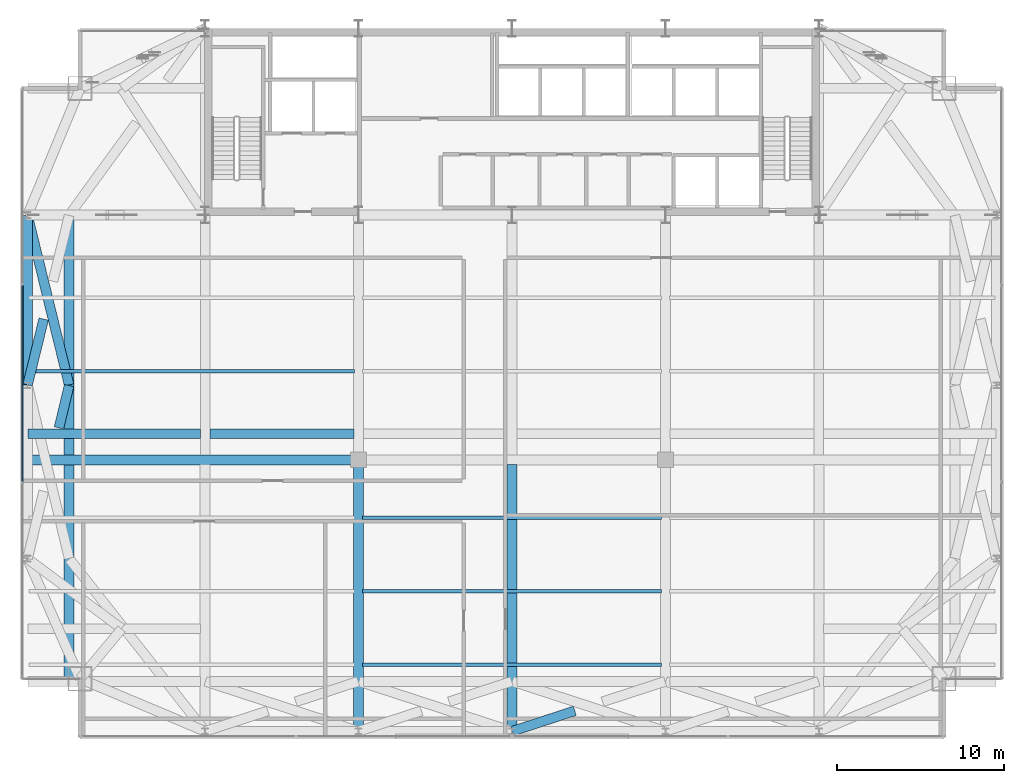
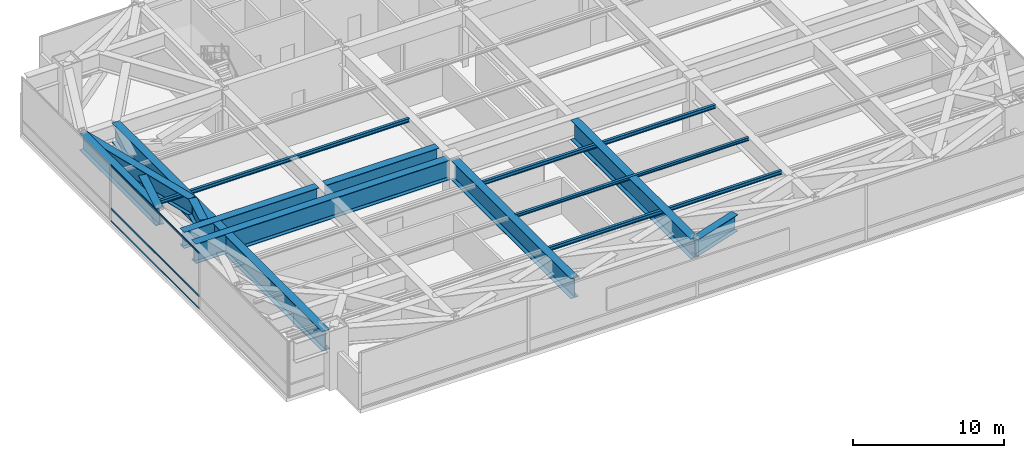
# One storey, part 9 of 32: 15 beams, 3 members, 1 element without a shape of its own.
"""IFC4 building model written with IfcOpenShell, lengths in metres."""

from ifc_helpers import new_model, si_unit, direction, frame, origin, origin_2d, place, context, subcontext, project, spatial, hollow_rectangle, i_section, extrude, source, transform, mapped, material, layer, layer_set, material_profile, profile_set, type_object, type_shapes, element, aggregate, save


model = new_model("IFC4")

# Units and contexts
model_context = context("Model", 3, precision=1e-05, world=origin(), true_north=direction((0.0, 1.0)))
body_context = subcontext(model_context, "Body", "Model", "MODEL_VIEW")
ifc_project = project(units=[si_unit("LENGTHUNIT", "METRE"), si_unit("AREAUNIT", "SQUARE_METRE"), si_unit("VOLUMEUNIT", "CUBIC_METRE"), si_unit("PLANEANGLEUNIT", "RADIAN"), si_unit("MASSUNIT", "GRAM", prefix="KILO")], contexts=[model_context])

# Site, building, storey
site_placement = place(None, origin())
site = spatial("IfcSite", under=ifc_project, at=site_placement, CompositionType="ELEMENT")
building_placement = place(site_placement, origin())
building = spatial("IfcBuilding", under=site, at=building_placement, Name="Varnel Quay Broadcast Tower", CompositionType="ELEMENT")
storey_placement = place(building_placement, frame((0.0, 0.0, 141.0)))
storey = spatial("IfcBuildingStorey", under=building, at=storey_placement, Name="L34", CompositionType="ELEMENT", Elevation=141.0)

# Beams
ifc_material_1 = material(Name="Structural Steel CSA G40.21 350WT", Category="steel")
ifc_material_profile_1 = material_profile(ifc_material_1, i_section(OverallWidth=0.580078125, OverallDepth=1.330078125, WebThickness=0.02197265625, FlangeThickness=0.0380859375, FilletRadius=0.02001953125, at=origin_2d()), Name="WWF1330X535")
ifc_profile_set_1 = profile_set([ifc_material_profile_1], Name="Structural Steel CSA G40.21 350WT")
beam_type_1 = type_object("IfcBeamType", Name="Girder_WWF1330X535", PredefinedType="BEAM", material=ifc_profile_set_1)
shared_shape_1 = source(origin(), body_context, "Body", "SweptSolid", [
    extrude(i_section(OverallWidth=0.580078125, OverallDepth=1.330078125, WebThickness=0.02197265625, FlangeThickness=0.0380859375, FilletRadius=0.02001953125, at=origin_2d()), origin(), (0.0, 0.0, 1.0), 10.16015625),
])
beam_1_placement = place(storey_placement, frame((4.949951171875, 25.419921875, 3.885009765625), z_axis=(0.0, 1.0, 0.0), x_axis=(-1.0, 0.0, 0.0)))
element("IfcBeam", 1, at=beam_1_placement, inside=storey, type_object=beam_type_1, Name="L34 West Transfer Spine TC-W2-TC-W3", PredefinedType="BEAM", context=body_context, shape_type="MappedRepresentation", body=[
    mapped(shared_shape_1, transform((0.0, 0.0, 0.0), x_axis=(1.0, 0.0, 0.0), y_axis=(0.0, 1.0, 0.0), z_axis=(0.0, 0.0, 1.0), scale=1.0)),
])
shared_shape_2 = source(origin(), body_context, "Body", "SweptSolid", [
    extrude(i_section(OverallWidth=0.580078125, OverallDepth=1.330078125, WebThickness=0.02197265625, FlangeThickness=0.0380859375, FilletRadius=0.02001953125, at=origin_2d()), origin(), (0.0, 0.0, 1.0), 8.6298828125),
])
beam_2_placement = place(storey_placement, frame((15.885009765625, 22.489990234375, 3.885009765625), z_axis=(1.0, 0.0, 0.0), x_axis=(0.0, 1.0, 0.0)))
element("IfcBeam", 2, at=beam_2_placement, inside=storey, type_object=beam_type_1, Name="L34 Setback Interior Column Transfer 2", PredefinedType="BEAM", context=body_context, shape_type="MappedRepresentation", body=[
    mapped(shared_shape_2, transform((0.0, 0.0, 0.0), x_axis=(1.0, 0.0, 0.0), y_axis=(0.0, 1.0, 0.0), z_axis=(0.0, 0.0, 1.0), scale=1.0)),
])
shared_shape_3 = source(origin(), body_context, "Body", "SweptSolid", [
    extrude(i_section(OverallWidth=0.580078125, OverallDepth=1.330078125, WebThickness=0.02197265625, FlangeThickness=0.0380859375, FilletRadius=0.02001953125, at=origin_2d()), origin(), (0.0, 0.0, 1.0), 3.939453125),
])
beam_3_placement = place(storey_placement, frame((34.01904296875, 4.65625, 3.885009765625), z_axis=(0.950738972318, 0.309992591065, 0.0), x_axis=(-0.309992591065, 0.950738972318, 0.0)))
element("IfcBeam", 3, at=beam_3_placement, inside=storey, type_object=beam_type_1, Name="L34 X-Braced Transfer Tie TC-S4-TC-S3 Part 1", PredefinedType="BEAM", context=body_context, shape_type="MappedRepresentation", body=[
    mapped(shared_shape_3, transform((0.0, 0.0, 0.0), x_axis=(1.0, 0.0, 0.0), y_axis=(0.0, 1.0, 0.0), z_axis=(0.0, 0.0, 1.0), scale=1.0)),
])
shared_shape_4 = source(origin(), body_context, "Body", "SweptSolid", [
    extrude(i_section(OverallWidth=0.580078125, OverallDepth=1.330078125, WebThickness=0.02197265625, FlangeThickness=0.0380859375, FilletRadius=0.02001953125, at=origin_2d()), origin(), (0.0, 0.0, 1.0), 10.4619140625),
])
beam_4_placement = place(storey_placement, frame((4.954833984375, 35.58056640625, 3.885009765625), z_axis=(0.238052489607, -0.971252290701, 0.0), x_axis=(0.971252290701, 0.238052489607, 0.0)))
element("IfcBeam", 4, at=beam_4_placement, inside=storey, type_object=beam_type_1, Name="L34 X-Braced Transfer Tie TC-W2-TC-W3", PredefinedType="BEAM", context=body_context, shape_type="MappedRepresentation", body=[
    mapped(shared_shape_4, transform((0.0, 0.0, 0.0), x_axis=(1.0, 0.0, 0.0), y_axis=(0.0, 1.0, 0.0), z_axis=(0.0, 0.0, 1.0), scale=1.0)),
])
shared_shape_5 = source(origin(), body_context, "Body", "SweptSolid", [
    extrude(i_section(OverallWidth=0.580078125, OverallDepth=1.330078125, WebThickness=0.02197265625, FlangeThickness=0.0380859375, FilletRadius=0.02001953125, at=origin_2d()), origin(), (0.0, 0.0, 1.0), 4.06298828125),
])
beam_5_placement = place(storey_placement, frame((4.954833984375, 25.41943359375, 3.885009765625), z_axis=(0.238065394909, 0.97124912754, 0.0), x_axis=(-0.97124912754, 0.238065394909, 0.0)))
element("IfcBeam", 5, at=beam_5_placement, inside=storey, type_object=beam_type_1, Name="L34 X-Braced Transfer Tie TC-W3-TC-W2 Part 1", PredefinedType="BEAM", context=body_context, shape_type="MappedRepresentation", body=[
    mapped(shared_shape_5, transform((0.0, 0.0, 0.0), x_axis=(1.0, 0.0, 0.0), y_axis=(0.0, 1.0, 0.0), z_axis=(0.0, 0.0, 1.0), scale=1.0)),
])
ifc_material_2 = material(Name="Structural Steel CSA G40.21 350W", Category="steel")
ifc_material_profile_2 = material_profile(ifc_material_2, i_section(OverallWidth=0.202880859375, OverallDepth=0.302978515625, WebThickness=0.007568359375, FlangeThickness=0.01318359375, FilletRadius=0.011962890625, at=origin_2d()), Name="W310X60")
ifc_profile_set_2 = profile_set([ifc_material_profile_2], Name="Structural Steel CSA G40.21 350W")
beam_type_2 = type_object("IfcBeamType", Name="Beam_W310X60", PredefinedType="JOIST", material=ifc_profile_set_2)
shared_shape_6 = source(origin(), body_context, "Body", "SweptSolid", [
    extrude(i_section(OverallWidth=0.202880859375, OverallDepth=0.302978515625, WebThickness=0.007568359375, FlangeThickness=0.01318359375, FilletRadius=0.011962890625, at=origin_2d()), origin(), (0.0, 0.0, 1.0), 17.91015625),
])
for number, where, z_axis, x_axis, name in (
    (6, (25.044921875, 8.64990234375, 4.3984375), (1.0, 0.0, 0.0), (0.0, 1.0, 0.0), "L34 Central Floor Joist 1"),
    (7, (25.044921875, 17.449951171875, 4.3984375), (1.0, 0.0, 0.0), (0.0, 1.0, 0.0), "L34 Central Floor Joist 3"),
):
    element("IfcBeam", number, at=place(storey_placement, frame(where, z_axis=z_axis, x_axis=x_axis)), inside=storey, type_object=beam_type_2, Name=name, PredefinedType="JOIST", context=body_context, shape_type="MappedRepresentation", body=[
        mapped(shared_shape_6, transform((0.0, 0.0, 0.0), x_axis=(1.0, 0.0, 0.0), y_axis=(0.0, 1.0, 0.0), z_axis=(0.0, 0.0, 1.0), scale=1.0)),
    ])
ifc_material_profile_3 = material_profile(ifc_material_2, i_section(OverallWidth=0.201904296875, OverallDepth=0.2470703125, WebThickness=0.00732421875, FlangeThickness=0.010986328125, FilletRadius=0.010986328125, at=origin_2d()), Name="W250X49")
ifc_profile_set_3 = profile_set([ifc_material_profile_3], Name="Structural Steel CSA G40.21 350W")
beam_type_3 = type_object("IfcBeamType", Name="Beam_W250X49", PredefinedType="JOIST", material=ifc_profile_set_3)
shared_shape_7 = source(origin(), body_context, "Body", "SweptSolid", [
    extrude(i_section(OverallWidth=0.201904296875, OverallDepth=0.2470703125, WebThickness=0.00732421875, FlangeThickness=0.010986328125, FilletRadius=0.010986328125, at=origin_2d()), origin(), (0.0, 0.0, 1.0), 17.91015625),
])
type_shapes(beam_type_3, [shared_shape_7])
beam_6_placement = place(storey_placement, frame((25.044921875, 13.050048828125, 4.426513671875), z_axis=(1.0, 0.0, 0.0), x_axis=(0.0, 1.0, 0.0)))
element("IfcBeam", 8, at=beam_6_placement, inside=storey, type_object=beam_type_3, Name="L34 Central Floor Joist 2", PredefinedType="JOIST", context=body_context, shape_type="MappedRepresentation", body=[
    mapped(shared_shape_7, transform((0.0, 0.0, 0.0), x_axis=(1.0, 0.0, 0.0), y_axis=(0.0, 1.0, 0.0), z_axis=(0.0, 0.0, 1.0), scale=1.0)),
])
ifc_material_profile_4 = material_profile(ifc_material_1, i_section(OverallWidth=0.60009765625, OverallDepth=1.60009765625, WebThickness=0.02392578125, FlangeThickness=0.0419921875, FilletRadius=0.02197265625, at=origin_2d()), Name="WWF1600X620")
ifc_profile_set_4 = profile_set([ifc_material_profile_4], Name="Structural Steel CSA G40.21 350WT")
beam_type_4 = type_object("IfcBeamType", Name="Girder_WWF1600X620", PredefinedType="BEAM", material=ifc_profile_set_4)
shared_shape_8 = source(origin(), body_context, "Body", "SweptSolid", [
    extrude(i_section(OverallWidth=0.60009765625, OverallDepth=1.60009765625, WebThickness=0.02392578125, FlangeThickness=0.0419921875, FilletRadius=0.02197265625, at=origin_2d()), origin(), (0.0, 0.0, 1.0), 19.525146484375),
])
beam_7_placement = place(storey_placement, frame((4.969970703125, 20.929931640625, 3.75), z_axis=(1.0, 0.0, 0.0), x_axis=(0.0, 1.0, 0.0)))
element("IfcBeam", 9, at=beam_7_placement, inside=storey, type_object=beam_type_4, Name="L34 Mid Transfer Spine W", PredefinedType="BEAM", context=body_context, shape_type="MappedRepresentation", body=[
    mapped(shared_shape_8, transform((0.0, 0.0, 0.0), x_axis=(1.0, 0.0, 0.0), y_axis=(0.0, 1.0, 0.0), z_axis=(0.0, 0.0, 1.0), scale=1.0)),
])
shared_shape_9 = source(origin(), body_context, "Body", "SweptSolid", [
    extrude(i_section(OverallWidth=0.60009765625, OverallDepth=1.60009765625, WebThickness=0.02392578125, FlangeThickness=0.0419921875, FilletRadius=0.02197265625, at=origin_2d()), origin(), (0.0, 0.0, 1.0), 15.97509765625),
])
for number, where, z_axis, x_axis, name in (
    (10, (24.800048828125, 4.669921875, 3.75), (0.0, 1.0, 0.0), (-1.0, 0.0, 0.0), "L34 N-S Transfer Girder 2A"),
    (11, (34.0, 4.669921875, 3.75), (0.0, 1.0, 0.0), (-1.0, 0.0, 0.0), "L34 N-S Transfer Girder 3A"),
):
    element("IfcBeam", number, at=place(storey_placement, frame(where, z_axis=z_axis, x_axis=x_axis)), inside=storey, type_object=beam_type_4, Name=name, PredefinedType="BEAM", context=body_context, shape_type="MappedRepresentation", body=[
        mapped(shared_shape_9, transform((0.0, 0.0, 0.0), x_axis=(1.0, 0.0, 0.0), y_axis=(0.0, 1.0, 0.0), z_axis=(0.0, 0.0, 1.0), scale=1.0)),
    ])
shared_shape_10 = source(origin(), body_context, "Body", "SweptSolid", [
    extrude(i_section(OverallWidth=0.580078125, OverallDepth=1.330078125, WebThickness=0.02197265625, FlangeThickness=0.0380859375, FilletRadius=0.02001953125, at=origin_2d()), origin(), (0.0, 0.0, 1.0), 10.344970703125),
])
beam_8_placement = place(storey_placement, frame((4.969970703125, 22.489990234375, 3.885009765625), z_axis=(1.0, 0.0, 0.0), x_axis=(0.0, 1.0, 0.0)))
element("IfcBeam", 12, at=beam_8_placement, inside=storey, type_object=beam_type_1, Name="L34 Setback Interior Column Transfer 1", PredefinedType="BEAM", context=body_context, shape_type="MappedRepresentation", body=[
    mapped(shared_shape_10, transform((0.0, 0.0, 0.0), x_axis=(1.0, 0.0, 0.0), y_axis=(0.0, 1.0, 0.0), z_axis=(0.0, 0.0, 1.0), scale=1.0)),
])
shared_shape_11 = source(origin(), body_context, "Body", "SweptSolid", [
    extrude(i_section(OverallWidth=0.60009765625, OverallDepth=1.60009765625, WebThickness=0.02392578125, FlangeThickness=0.0419921875, FilletRadius=0.02197265625, at=origin_2d()), origin(), (0.0, 0.0, 1.0), 27.91015625),
])
type_shapes(beam_type_4, [shared_shape_8, shared_shape_9, shared_shape_11])
beam_9_placement = place(storey_placement, frame((7.449951171875, 7.669921875, 3.75), z_axis=(0.0, 1.0, 0.0), x_axis=(-1.0, 0.0, 0.0)))
element("IfcBeam", 13, at=beam_9_placement, inside=storey, type_object=beam_type_4, Name="L34 Setback West Transfer Header", PredefinedType="BEAM", context=body_context, shape_type="MappedRepresentation", body=[
    mapped(shared_shape_11, transform((0.0, 0.0, 0.0), x_axis=(1.0, 0.0, 0.0), y_axis=(0.0, 1.0, 0.0), z_axis=(0.0, 0.0, 1.0), scale=1.0)),
])
shared_shape_12 = source(origin(), body_context, "Body", "SweptSolid", [
    extrude(i_section(OverallWidth=0.580078125, OverallDepth=1.330078125, WebThickness=0.02197265625, FlangeThickness=0.0380859375, FilletRadius=0.02001953125, at=origin_2d()), origin(), (0.0, 0.0, 1.0), 2.6064453125),
])
type_shapes(beam_type_1, [shared_shape_1, shared_shape_2, shared_shape_3, shared_shape_4, shared_shape_5, shared_shape_10, shared_shape_12])
beam_10_placement = place(storey_placement, frame((6.836181640625, 22.846435546875, 3.885009765625), z_axis=(0.233709502741, 0.972306468316, 0.0), x_axis=(-0.972306468316, 0.233709502741, 0.0)))
element("IfcBeam", 14, at=beam_10_placement, inside=storey, type_object=beam_type_1, Name="L34 X-Braced Transfer Tie TC-W2-TC-W1 Part 2", PredefinedType="BEAM", context=body_context, shape_type="MappedRepresentation", body=[
    mapped(shared_shape_12, transform((0.0, 0.0, 0.0), x_axis=(1.0, 0.0, 0.0), y_axis=(0.0, 1.0, 0.0), z_axis=(0.0, 0.0, 1.0), scale=1.0)),
])
shared_shape_13 = source(origin(), body_context, "Body", "SweptSolid", [
    extrude(i_section(OverallWidth=0.202880859375, OverallDepth=0.302978515625, WebThickness=0.007568359375, FlangeThickness=0.01318359375, FilletRadius=0.011962890625, at=origin_2d()), origin(), (0.0, 0.0, 1.0), 19.51953125),
])
type_shapes(beam_type_2, [shared_shape_6, shared_shape_13])
beam_11_placement = place(storey_placement, frame((5.035400390625, 26.25, 4.3984375), z_axis=(1.0, 0.0, 0.0), x_axis=(0.0, 1.0, 0.0)))
element("IfcBeam", 15, at=beam_11_placement, inside=storey, type_object=beam_type_2, Name="L34 West Floor Joist 5", PredefinedType="JOIST", context=body_context, shape_type="MappedRepresentation", body=[
    mapped(shared_shape_13, transform((0.0, 0.0, 0.0), x_axis=(1.0, 0.0, 0.0), y_axis=(0.0, 1.0, 0.0), z_axis=(0.0, 0.0, 1.0), scale=1.0)),
])

# Curtain wall, members
ifc_material_3 = material(Name="Anodised Bronze Aluminium 6063-T6", Category="aluminium")
ifc_layer = layer(ifc_material_3, 0.18994140625, Name="Anodised Bronze Aluminium 6063-T6")
ifc_layer_set = layer_set([ifc_layer], Name="Anodised Bronze Aluminium 6063-T6")
curtain_wall_type = type_object("IfcCurtainWallType", Name="CW_LowerTower", PredefinedType="NOTDEFINED", material=ifc_layer_set)
curtain_wall_placement = place(storey_placement, origin())
curtain_wall = element("IfcCurtainWall", 16, at=curtain_wall_placement, inside=storey, type_object=curtain_wall_type, Name="L34 West Unitised Curtain Wall", PredefinedType="NOTDEFINED")
ifc_material_profile_5 = material_profile(ifc_material_3, hollow_rectangle(XDim=0.06005859375, YDim=0.14501953125, WallThickness=0.00341796875, at=origin_2d()), Name="ALU60X145X3.5")
ifc_profile_set_5 = profile_set([ifc_material_profile_5], Name="Anodised Bronze Aluminium 6063-T6")
member_type = type_object("IfcMemberType", Name="Tran_CWS-02", PredefinedType="USERDEFINED", material=ifc_profile_set_5)
shared_shape_14 = source(origin(), body_context, "Body", "SweptSolid", [
    extrude(hollow_rectangle(XDim=0.06005859375, YDim=0.14501953125, WallThickness=0.00341796875, at=origin_2d()), origin(), (0.0, 0.0, 1.0), 11.72998046875),
])
type_shapes(member_type, [shared_shape_14])
member_1_placement = place(storey_placement, frame((4.64990234375, 19.635009765625, 0.030029296875), z_axis=(0.0, 1.0, 0.0), x_axis=(-1.0, 0.0, 0.0)))
member_1 = element("IfcMember", 17, at=member_1_placement, type_object=member_type, Name="CWS-02 transom 2.1", ObjectType="TRANSOM", PredefinedType="USERDEFINED", context=body_context, shape_type="MappedRepresentation", body=[
    mapped(shared_shape_14, transform((0.0, 0.0, 0.0), x_axis=(1.0, 0.0, 0.0), y_axis=(0.0, 1.0, 0.0), z_axis=(0.0, 0.0, 1.0), scale=1.0)),
])
member_2_placement = place(storey_placement, frame((4.64990234375, 19.635009765625, 1.050048828125), z_axis=(0.0, 1.0, 0.0), x_axis=(-1.0, 0.0, 0.0)))
member_2 = element("IfcMember", 18, at=member_2_placement, type_object=member_type, Name="CWS-02 transom 2.2", ObjectType="TRANSOM", PredefinedType="USERDEFINED", context=body_context, shape_type="MappedRepresentation", body=[
    mapped(shared_shape_14, transform((0.0, 0.0, 0.0), x_axis=(1.0, 0.0, 0.0), y_axis=(0.0, 1.0, 0.0), z_axis=(0.0, 0.0, 1.0), scale=1.0)),
])
member_3_placement = place(storey_placement, frame((4.64990234375, 19.635009765625, 4.52001953125), z_axis=(0.0, 1.0, 0.0), x_axis=(-1.0, 0.0, 0.0)))
member_3 = element("IfcMember", 19, at=member_3_placement, type_object=member_type, Name="CWS-02 transom 2.3", ObjectType="TRANSOM", PredefinedType="USERDEFINED", context=body_context, shape_type="MappedRepresentation", body=[
    mapped(shared_shape_14, transform((0.0, 0.0, 0.0), x_axis=(1.0, 0.0, 0.0), y_axis=(0.0, 1.0, 0.0), z_axis=(0.0, 0.0, 1.0), scale=1.0)),
])
aggregate(curtain_wall, [member_1, member_2, member_3])

save(model, "model.ifc")
